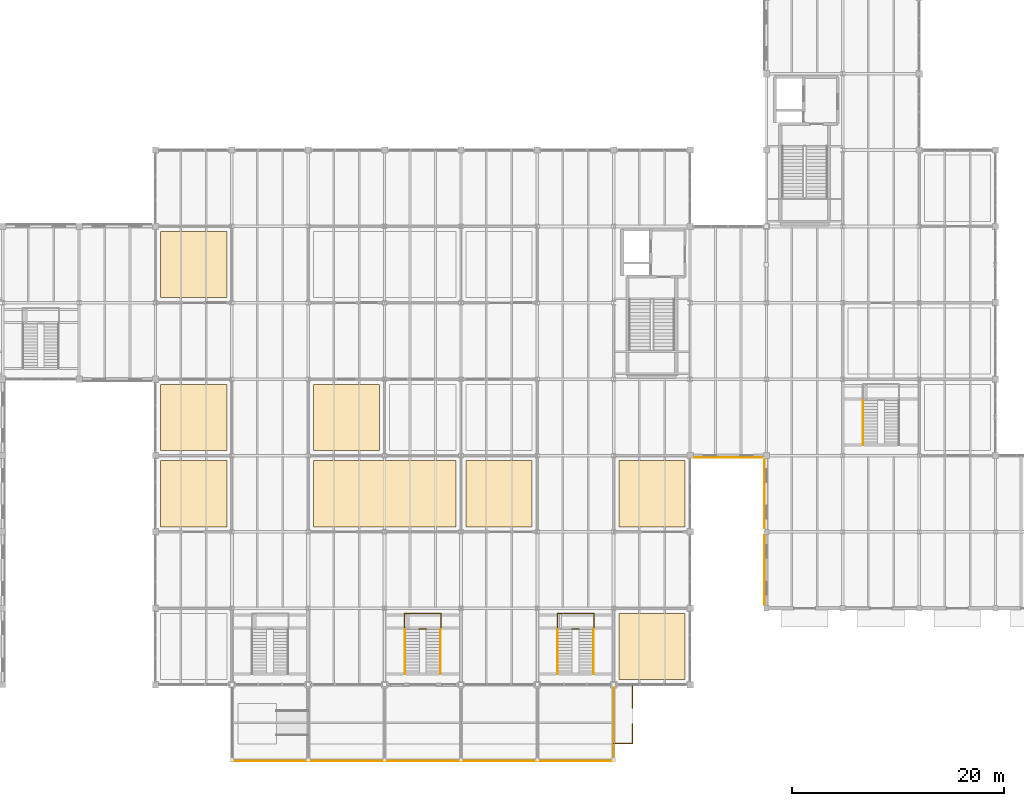
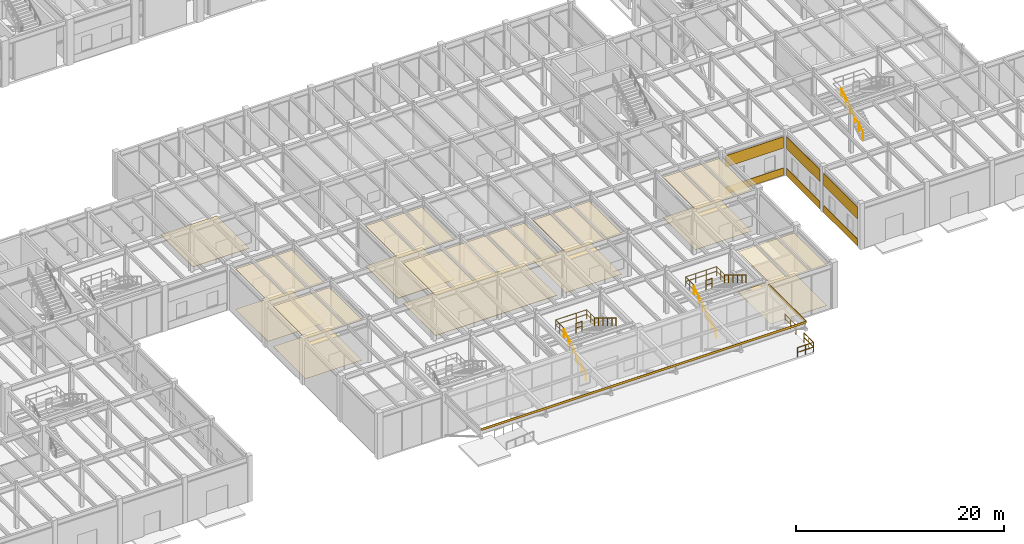
# One storey, part 89 of 97: 23 coverings, 12 railings.
"""IFC4 building model written with IfcOpenShell, lengths in metres."""

from ifc_helpers import new_model, si_unit, direction, frame, frame_2d, origin, origin_2d, place, context, subcontext, project, spatial, polyline, rectangle, circle, outline, extrude, material, layer, layer_set, type_object, element, save


model = new_model("IFC4")

# Units and contexts
model_context = context("Model", 3, precision=1e-05, world=origin(), true_north=direction((0.0, 1.0)))
body_context = subcontext(model_context, "Body", "Model", "MODEL_VIEW")
ifc_project = project(units=[si_unit("LENGTHUNIT", "METRE"), si_unit("AREAUNIT", "SQUARE_METRE"), si_unit("VOLUMEUNIT", "CUBIC_METRE"), si_unit("PLANEANGLEUNIT", "RADIAN"), si_unit("MASSUNIT", "GRAM", prefix="KILO")], contexts=[model_context])

# Site, building, storey
site_placement = place(None, origin())
site = spatial("IfcSite", under=ifc_project, at=site_placement, CompositionType="ELEMENT")
building_placement = place(site_placement, origin())
building = spatial("IfcBuilding", under=site, at=building_placement, Name="Sillqori Civic Hall", CompositionType="ELEMENT")
storey_placement = place(building_placement, origin())
storey = spatial("IfcBuildingStorey", under=building, at=storey_placement, Name="L01", CompositionType="ELEMENT", Elevation=0.0)

# Coverings
ifc_material_1 = material(Name="Perforated Metal Coffer Panel 70", Category="aluminium")
ifc_layer_1 = layer(ifc_material_1, 0.070068359375)
ifc_layer_set_1 = layer_set([ifc_layer_1], Name="Perforated Metal Coffer Panel 70")
covering_type_1 = type_object("IfcCoveringType", Name="COV-CEIL-M70", PredefinedType="CEILING", material=ifc_layer_set_1)
covering_1_placement = place(storey_placement, frame((0.0, 0.0, 4.679931640625)))
element("IfcCovering", 1, at=covering_1_placement, inside=storey, type_object=covering_type_1, Name="Municipal Cashier and Revenue Collection Hall L01-09 acoustic ceiling", PredefinedType="CEILING", context=body_context, shape_type="SweptSolid", body=[
    extrude(outline(polyline([(94.080078125, 22.080078125), (100.320068359375, 22.080078125), (100.320068359375, 28.320068359375), (94.080078125, 28.320068359375), (94.080078125, 22.080078125)])), origin(), (0.0, 0.0, 1.0), 0.070068359375),
])
ifc_material_2 = material(Name="Micro-Perforated Aluminium Plank Ceiling", Category="aluminium")
ifc_layer_2 = layer(ifc_material_2, 0.035888671875)
ifc_layer_set_2 = layer_set([ifc_layer_2], Name="Micro-Perforated Aluminium Plank Ceiling")
covering_type_2 = type_object("IfcCoveringType", Name="COV-CEIL-MET", PredefinedType="CEILING", material=ifc_layer_set_2)
covering_2_placement = place(storey_placement, frame((0.0, 0.0, 4.714111328125)))
element("IfcCovering", 2, at=covering_2_placement, inside=storey, type_object=covering_type_2, Name="Civil Registry Births and Marriages Counter acoustic ceiling", PredefinedType="CEILING", context=body_context, shape_type="SweptSolid", body=[
    extrude(outline(polyline([(65.280029296875, 29.280029296875), (71.52001953125, 29.280029296875), (71.52001953125, 35.52001953125), (65.280029296875, 35.52001953125), (65.280029296875, 29.280029296875)])), origin(), (0.0, 0.0, 1.0), 0.035888671875),
])
covering_3_placement = place(storey_placement, frame((0.0, 0.0, 4.714111328125)))
element("IfcCovering", 3, at=covering_3_placement, inside=storey, type_object=covering_type_2, Name="Community Neighbourhood Assembly Room L01-13 acoustic ceiling", PredefinedType="CEILING", context=body_context, shape_type="SweptSolid", body=[
    extrude(outline(polyline([(108.47998046875, 22.080078125), (114.719970703125, 22.080078125), (114.719970703125, 28.320068359375), (108.47998046875, 28.320068359375), (108.47998046875, 22.080078125)])), origin(), (0.0, 0.0, 1.0), 0.035888671875),
])
ifc_material_3 = material(Name="Mineral-Fibre High-NRC Tile Ceiling", Category="gypsum")
ifc_layer_3 = layer(ifc_material_3, 0.02392578125)
ifc_layer_set_3 = layer_set([ifc_layer_3], Name="Mineral-Fibre High-NRC Tile Ceiling")
covering_type_3 = type_object("IfcCoveringType", Name="COV-CEIL-MIN", PredefinedType="CEILING", material=ifc_layer_set_3)
covering_4_placement = place(storey_placement, frame((0.0, 0.0, 4.72607421875)))
element("IfcCovering", 4, at=covering_4_placement, inside=storey, type_object=covering_type_3, Name="Municipal Cashier and Revenue Collection Hall acoustic ceiling", PredefinedType="CEILING", context=body_context, shape_type="SweptSolid", body=[
    extrude(outline(polyline([(65.280029296875, 22.080078125), (71.52001953125, 22.080078125), (71.52001953125, 28.320068359375), (65.280029296875, 28.320068359375), (65.280029296875, 22.080078125)])), origin(), (0.0, 0.0, 1.0), 0.02392578125),
])
covering_5_placement = place(storey_placement, frame((0.0, 0.0, 4.72607421875)))
element("IfcCovering", 5, at=covering_5_placement, inside=storey, type_object=covering_type_3, Name="Civic Bookshop and Municipal Information Kiosk L01-12 acoustic ceiling", PredefinedType="CEILING", context=body_context, shape_type="SweptSolid", body=[
    extrude(outline(polyline([(108.47998046875, 7.679931640625), (114.719970703125, 7.679931640625), (114.719970703125, 13.919921875), (108.47998046875, 13.919921875), (108.47998046875, 7.679931640625)])), origin(), (0.0, 0.0, 1.0), 0.02392578125),
])
ifc_material_4 = material(Name="Andean Cedar Slatted Baffle 46", Category="timber")
ifc_layer_4 = layer(ifc_material_4, 0.0458984375)
ifc_layer_set_4 = layer_set([ifc_layer_4], Name="Andean Cedar Slatted Baffle 46")
covering_type_4 = type_object("IfcCoveringType", Name="COV-CEIL-T46", PredefinedType="CEILING", material=ifc_layer_set_4)
covering_6_placement = place(storey_placement, frame((0.0, 0.0, 4.7041015625)))
element("IfcCovering", 6, at=covering_6_placement, inside=storey, type_object=covering_type_4, Name="Civic Bookshop and Municipal Information Kiosk acoustic ceiling", PredefinedType="CEILING", context=body_context, shape_type="SweptSolid", body=[
    extrude(outline(polyline([(79.679931640625, 22.080078125), (93.1201171875, 22.080078125), (93.1201171875, 28.320068359375), (79.679931640625, 28.320068359375), (79.679931640625, 22.080078125)])), origin(), (0.0, 0.0, 1.0), 0.0458984375),
])
ifc_material_5 = material(Name="Andean Cedar Slatted Baffle 52", Category="timber")
ifc_layer_5 = layer(ifc_material_5, 0.052001953125)
ifc_layer_set_5 = layer_set([ifc_layer_5], Name="Andean Cedar Slatted Baffle 52")
covering_type_5 = type_object("IfcCoveringType", Name="COV-CEIL-T52", PredefinedType="CEILING", material=ifc_layer_set_5)
covering_7_placement = place(storey_placement, frame((0.0, 0.0, 4.697998046875)))
element("IfcCovering", 7, at=covering_7_placement, inside=storey, type_object=covering_type_5, Name="Community Neighbourhood Assembly Room acoustic ceiling", PredefinedType="CEILING", context=body_context, shape_type="SweptSolid", body=[
    extrude(outline(polyline([(79.679931640625, 29.280029296875), (85.919921875, 29.280029296875), (85.919921875, 35.52001953125), (79.679931640625, 35.52001953125), (79.679931640625, 29.280029296875)])), origin(), (0.0, 0.0, 1.0), 0.052001953125),
])
ifc_material_6 = material(Name="Anodized Bronze Aluminium Fascia", Category="aluminium")
ifc_layer_6 = layer(ifc_material_6, 0.034912109375)
ifc_layer_set_6 = layer_set([ifc_layer_6], Name="Anodized Bronze Aluminium Fascia")
covering_type_6 = type_object("IfcCoveringType", Name="COV-CLAD-BRNZ", PredefinedType="CLADDING", material=ifc_layer_set_6)
covering_8_placement = place(storey_placement, frame((72.0, 0.0, 4.97998046875), z_axis=(0.0, 0.0, 1.0), x_axis=(1.0, 0.0, 0.0)))
element("IfcCovering", 8, at=covering_8_placement, inside=storey, type_object=covering_type_6, Name="Entrance canopy bronze fascia S", PredefinedType="CLADDING", context=body_context, shape_type="SweptSolid", body=[
    extrude(rectangle(XDim=36.0, YDim=0.034912109375, at=frame_2d((18.0, 0.0))), origin(), (0.0, 0.0, 1.0), 0.260009765625),
])
covering_9_placement = place(storey_placement, frame((108.0, 0.0, 4.97998046875), z_axis=(0.0, 0.0, 1.0), x_axis=(0.0, 1.0, 0.0)))
element("IfcCovering", 9, at=covering_9_placement, inside=storey, type_object=covering_type_6, Name="Entrance canopy bronze fascia E", PredefinedType="CLADDING", context=body_context, shape_type="SweptSolid", body=[
    extrude(rectangle(XDim=7.199951171875, YDim=0.034912109375, at=frame_2d((3.60009765625, 0.0))), origin(), (0.0, 0.0, 1.0), 0.260009765625),
])
ifc_material_7 = material(Name="Cochabamba Honed Limestone Cladding", Category="masonry")
ifc_layer_7 = layer(ifc_material_7, 0.044921875)
ifc_layer_set_7 = layer_set([ifc_layer_7], Name="Cochabamba Honed Limestone Cladding")
covering_type_7 = type_object("IfcCoveringType", Name="COV-CLAD-LIME", PredefinedType="CLADDING", material=ifc_layer_set_7)
covering_10_placement = place(storey_placement, frame((122.02001953125, 28.6298828125, 0.0400390625), z_axis=(0.0, 0.0, 1.0), x_axis=(-1.0, 0.0, 0.0)))
element("IfcCovering", 10, at=covering_10_placement, inside=storey, type_object=covering_type_7, Name="L01 limestone spandrel cladding L01-16-04-S", PredefinedType="CLADDING", context=body_context, shape_type="SweptSolid", body=[
    extrude(rectangle(XDim=6.43994140625, YDim=0.044921875, at=frame_2d((3.219970703125, 0.0))), origin(), (0.0, 0.0, 1.0), 0.85986328125),
])
covering_11_placement = place(storey_placement, frame((122.02001953125, 28.6298828125, 3.219970703125), z_axis=(0.0, 0.0, 1.0), x_axis=(-1.0, 0.0, 0.0)))
element("IfcCovering", 11, at=covering_11_placement, inside=storey, type_object=covering_type_7, Name="L01 limestone frieze cladding L01-16-04-S", PredefinedType="CLADDING", context=body_context, shape_type="SweptSolid", body=[
    extrude(rectangle(XDim=6.43994140625, YDim=0.044921875, at=frame_2d((3.219970703125, 0.0))), origin(), (0.0, 0.0, 1.0), 1.338134765625),
])
covering_12_placement = place(storey_placement, frame((122.22998046875, 14.72998046875, 0.0400390625), z_axis=(0.0, 0.0, 1.0), x_axis=(0.0, 1.0, 0.0)))
element("IfcCovering", 12, at=covering_12_placement, inside=storey, type_object=covering_type_7, Name="L01 limestone spandrel cladding L01-17-02-W", PredefinedType="CLADDING", context=body_context, shape_type="SweptSolid", body=[
    extrude(rectangle(XDim=6.5400390625, YDim=0.044921875, at=frame_2d((3.27001953125, 0.0))), origin(), (0.0, 0.0, 1.0), 0.85986328125),
])
covering_13_placement = place(storey_placement, frame((122.22998046875, 14.72998046875, 3.219970703125), z_axis=(0.0, 0.0, 1.0), x_axis=(0.0, 1.0, 0.0)))
element("IfcCovering", 13, at=covering_13_placement, inside=storey, type_object=covering_type_7, Name="L01 limestone frieze cladding L01-17-02-W", PredefinedType="CLADDING", context=body_context, shape_type="SweptSolid", body=[
    extrude(rectangle(XDim=6.5400390625, YDim=0.044921875, at=frame_2d((3.27001953125, 0.0))), origin(), (0.0, 0.0, 1.0), 1.406982421875),
])
covering_14_placement = place(storey_placement, frame((122.22998046875, 21.929931640625, 0.0400390625), z_axis=(0.0, 0.0, 1.0), x_axis=(0.0, 1.0, 0.0)))
element("IfcCovering", 14, at=covering_14_placement, inside=storey, type_object=covering_type_7, Name="L01 limestone spandrel cladding L01-17-03-W", PredefinedType="CLADDING", context=body_context, shape_type="SweptSolid", body=[
    extrude(rectangle(XDim=6.489990234375, YDim=0.044921875, at=frame_2d((3.2451171875, 0.0))), origin(), (0.0, 0.0, 1.0), 0.85986328125),
])
covering_15_placement = place(storey_placement, frame((122.22998046875, 21.929931640625, 3.219970703125), z_axis=(0.0, 0.0, 1.0), x_axis=(0.0, 1.0, 0.0)))
element("IfcCovering", 15, at=covering_15_placement, inside=storey, type_object=covering_type_7, Name="L01 limestone frieze cladding L01-17-03-W", PredefinedType="CLADDING", context=body_context, shape_type="SweptSolid", body=[
    extrude(rectangle(XDim=6.489990234375, YDim=0.044921875, at=frame_2d((3.2451171875, 0.0))), origin(), (0.0, 0.0, 1.0), 1.406982421875),
])
ifc_material_8 = material(Name="Dust-Sealed Heavy-Duty Archive Epoxy", Category="resin")
ifc_layer_8 = layer(ifc_material_8, 0.014892578125)
ifc_layer_set_8 = layer_set([ifc_layer_8], Name="Dust-Sealed Heavy-Duty Archive Epoxy")
covering_type_8 = type_object("IfcCoveringType", Name="COV-FLR-EPX", PredefinedType="FLOORING", material=ifc_layer_set_8)
covering_16_placement = place(storey_placement, origin())
element("IfcCovering", 16, at=covering_16_placement, inside=storey, type_object=covering_type_8, Name="Civil Registry Births and Marriages Counter floor finish", PredefinedType="FLOORING", context=body_context, shape_type="SweptSolid", body=[
    extrude(outline(polyline([(65.280029296875, 29.280029296875), (71.52001953125, 29.280029296875), (71.52001953125, 35.52001953125), (65.280029296875, 35.52001953125), (65.280029296875, 29.280029296875)])), origin(), (0.0, 0.0, 1.0), 0.014892578125),
])
covering_17_placement = place(storey_placement, origin())
element("IfcCovering", 17, at=covering_17_placement, inside=storey, type_object=covering_type_8, Name="Community Neighbourhood Assembly Room L01-13 floor finish", PredefinedType="FLOORING", context=body_context, shape_type="SweptSolid", body=[
    extrude(outline(polyline([(108.47998046875, 22.080078125), (114.719970703125, 22.080078125), (114.719970703125, 28.320068359375), (108.47998046875, 28.320068359375), (108.47998046875, 22.080078125)])), origin(), (0.0, 0.0, 1.0), 0.014892578125),
])
ifc_material_9 = material(Name="Vitrified Porcelain Tile 18", Category="ceramic")
ifc_layer_9 = layer(ifc_material_9, 0.01806640625)
ifc_layer_set_9 = layer_set([ifc_layer_9], Name="Vitrified Porcelain Tile 18")
covering_type_9 = type_object("IfcCoveringType", Name="COV-FLR-P18", PredefinedType="FLOORING", material=ifc_layer_set_9)
covering_18_placement = place(storey_placement, origin())
element("IfcCovering", 18, at=covering_18_placement, inside=storey, type_object=covering_type_9, Name="Municipal Cashier and Revenue Collection Hall L01-09 floor finish", PredefinedType="FLOORING", context=body_context, shape_type="SweptSolid", body=[
    extrude(outline(polyline([(94.080078125, 22.080078125), (100.320068359375, 22.080078125), (100.320068359375, 28.320068359375), (94.080078125, 28.320068359375), (94.080078125, 22.080078125)])), origin(), (0.0, 0.0, 1.0), 0.01806640625),
])
ifc_material_10 = material(Name="Slip-Resistant R11 Porcelain Tile", Category="ceramic")
ifc_layer_10 = layer(ifc_material_10, 0.02001953125)
ifc_layer_set_10 = layer_set([ifc_layer_10], Name="Slip-Resistant R11 Porcelain Tile")
covering_type_10 = type_object("IfcCoveringType", Name="COV-FLR-POR", PredefinedType="FLOORING", material=ifc_layer_set_10)
covering_19_placement = place(storey_placement, origin())
element("IfcCovering", 19, at=covering_19_placement, inside=storey, type_object=covering_type_10, Name="Municipal Cashier and Revenue Collection Hall floor finish", PredefinedType="FLOORING", context=body_context, shape_type="SweptSolid", body=[
    extrude(outline(polyline([(65.280029296875, 22.080078125), (71.52001953125, 22.080078125), (71.52001953125, 28.320068359375), (65.280029296875, 28.320068359375), (65.280029296875, 22.080078125)])), origin(), (0.0, 0.0, 1.0), 0.02001953125),
])
covering_20_placement = place(storey_placement, origin())
element("IfcCovering", 20, at=covering_20_placement, inside=storey, type_object=covering_type_10, Name="Civic Bookshop and Municipal Information Kiosk L01-12 floor finish", PredefinedType="FLOORING", context=body_context, shape_type="SweptSolid", body=[
    extrude(outline(polyline([(108.47998046875, 7.679931640625), (114.719970703125, 7.679931640625), (114.719970703125, 13.919921875), (108.47998046875, 13.919921875), (108.47998046875, 7.679931640625)])), origin(), (0.0, 0.0, 1.0), 0.02001953125),
])
ifc_material_11 = material(Name="Honed Comanche Sandstone Paving 38", Category="masonry")
ifc_layer_11 = layer(ifc_material_11, 0.0380859375)
ifc_layer_set_11 = layer_set([ifc_layer_11], Name="Honed Comanche Sandstone Paving 38")
covering_type_11 = type_object("IfcCoveringType", Name="COV-FLR-S38", PredefinedType="FLOORING", material=ifc_layer_set_11)
covering_21_placement = place(storey_placement, origin())
element("IfcCovering", 21, at=covering_21_placement, inside=storey, type_object=covering_type_11, Name="Public Cafe and Andean Civic Salon floor finish", PredefinedType="FLOORING", context=body_context, shape_type="SweptSolid", body=[
    extrude(outline(polyline([(65.280029296875, 43.679931640625), (71.52001953125, 43.679931640625), (71.52001953125, 49.919921875), (65.280029296875, 49.919921875), (65.280029296875, 43.679931640625)])), origin(), (0.0, 0.0, 1.0), 0.0380859375),
])
ifc_material_12 = material(Name="Thick Ceremonial Limestone Flagstone 50", Category="masonry")
ifc_layer_12 = layer(ifc_material_12, 0.050048828125)
ifc_layer_set_12 = layer_set([ifc_layer_12], Name="Thick Ceremonial Limestone Flagstone 50")
covering_type_12 = type_object("IfcCoveringType", Name="COV-FLR-S50", PredefinedType="FLOORING", material=ifc_layer_set_12)
covering_22_placement = place(storey_placement, origin())
element("IfcCovering", 22, at=covering_22_placement, inside=storey, type_object=covering_type_12, Name="Civic Bookshop and Municipal Information Kiosk floor finish", PredefinedType="FLOORING", context=body_context, shape_type="SweptSolid", body=[
    extrude(outline(polyline([(79.679931640625, 22.080078125), (93.1201171875, 22.080078125), (93.1201171875, 28.320068359375), (79.679931640625, 28.320068359375), (79.679931640625, 22.080078125)])), origin(), (0.0, 0.0, 1.0), 0.050048828125),
])
ifc_material_13 = material(Name="Heavy Hall Basalt Terrazzo 56", Category="masonry")
ifc_layer_13 = layer(ifc_material_13, 0.055908203125)
ifc_layer_set_13 = layer_set([ifc_layer_13], Name="Heavy Hall Basalt Terrazzo 56")
covering_type_13 = type_object("IfcCoveringType", Name="COV-FLR-S56", PredefinedType="FLOORING", material=ifc_layer_set_13)
covering_23_placement = place(storey_placement, origin())
element("IfcCovering", 23, at=covering_23_placement, inside=storey, type_object=covering_type_13, Name="Community Neighbourhood Assembly Room floor finish", PredefinedType="FLOORING", context=body_context, shape_type="SweptSolid", body=[
    extrude(outline(polyline([(79.679931640625, 29.280029296875), (85.919921875, 29.280029296875), (85.919921875, 35.52001953125), (79.679931640625, 35.52001953125), (79.679931640625, 29.280029296875)])), origin(), (0.0, 0.0, 1.0), 0.055908203125),
])

# Railings
ifc_material_14 = material(Name="Brushed Stainless Steel 316 Handrail", Category="steel")
ifc_layer_14 = layer(ifc_material_14, 0.044921875)
ifc_layer_set_14 = layer_set([ifc_layer_14], Name="Brushed Stainless Steel 316 Handrail")
railing_type_1 = type_object("IfcRailingType", Name="RLG-CORE-092", PredefinedType="HANDRAIL", material=ifc_layer_set_14)
railing_1_placement = place(storey_placement, frame((102.719970703125, 8.199951171875, 0.168701171875)))
element("IfcRailing", 24, at=railing_1_placement, inside=storey, type_object=railing_type_1, Name="Wedge Hall South-East Grand Stair L01-L02 handrail W", PredefinedType="HANDRAIL", context=body_context, shape_type="SweptSolid", body=[
    extrude(circle(Radius=0.02392578125, at=origin_2d()), frame((0.0, 0.0, 0.89599609375), z_axis=(0.0, 0.856476492594, 0.516186030065), x_axis=(-1.0, 0.0, 0.0)), (0.0, 0.0, 1.0), 4.90380859375),
    extrude(circle(Radius=0.02099609375, at=origin_2d()), origin(), (0.0, 0.0, 1.0), 0.871826171875),
    extrude(circle(Radius=0.02099609375, at=origin_2d()), frame((0.0, 0.840087890625, 0.50634765625)), (0.0, 0.0, 1.0), 0.871826171875),
    extrude(circle(Radius=0.02099609375, at=origin_2d()), frame((0.0, 1.679931640625, 1.012451171875)), (0.0, 0.0, 1.0), 0.871826171875),
    extrude(circle(Radius=0.02099609375, at=origin_2d()), frame((0.0, 2.52001953125, 1.518798828125)), (0.0, 0.0, 1.0), 0.871826171875),
    extrude(circle(Radius=0.02099609375, at=origin_2d()), frame((0.0, 3.35986328125, 2.02490234375)), (0.0, 0.0, 1.0), 0.871826171875),
    extrude(circle(Radius=0.02099609375, at=origin_2d()), frame((0.0, 4.199951171875, 2.53125)), (0.0, 0.0, 1.0), 0.871826171875),
])
railing_2_placement = place(storey_placement, frame((106.080078125, 12.39990234375, 2.868896484375)))
element("IfcRailing", 25, at=railing_2_placement, inside=storey, type_object=railing_type_1, Name="Wedge Hall South-East Grand Stair L01-L02 handrail E", PredefinedType="HANDRAIL", context=body_context, shape_type="SweptSolid", body=[
    extrude(circle(Radius=0.02392578125, at=origin_2d()), frame((0.0, 0.0, 0.89599609375), z_axis=(0.0, -0.856498503035, 0.5161495077), x_axis=(1.0, 0.0, 0.0)), (0.0, 0.0, 1.0), 4.903564453125),
    extrude(circle(Radius=0.02099609375, at=origin_2d()), origin(), (0.0, 0.0, 1.0), 0.871826171875),
    extrude(circle(Radius=0.02099609375, at=origin_2d()), frame((0.0, -0.840087890625, 0.506103515625)), (0.0, 0.0, 1.0), 0.871826171875),
    extrude(circle(Radius=0.02099609375, at=origin_2d()), frame((0.0, -1.679931640625, 1.012451171875)), (0.0, 0.0, 1.0), 0.871826171875),
    extrude(circle(Radius=0.02099609375, at=origin_2d()), frame((0.0, -2.52001953125, 1.5185546875)), (0.0, 0.0, 1.0), 0.871826171875),
    extrude(circle(Radius=0.02099609375, at=origin_2d()), frame((0.0, -3.35986328125, 2.02490234375)), (0.0, 0.0, 1.0), 0.871826171875),
    extrude(circle(Radius=0.02099609375, at=origin_2d()), frame((0.0, -4.199951171875, 2.531005859375)), (0.0, 0.0, 1.0), 0.871826171875),
])
railing_3_placement = place(storey_placement, frame((88.320068359375, 8.199951171875, 0.168701171875)))
element("IfcRailing", 26, at=railing_3_placement, inside=storey, type_object=railing_type_1, Name="Citizens Service Central Stair L01-L02 handrail W", PredefinedType="HANDRAIL", context=body_context, shape_type="SweptSolid", body=[
    extrude(circle(Radius=0.02392578125, at=origin_2d()), frame((0.0, 0.0, 0.89599609375), z_axis=(0.0, 0.856476492594, 0.516186030065), x_axis=(-1.0, 0.0, 0.0)), (0.0, 0.0, 1.0), 4.90380859375),
    extrude(circle(Radius=0.02099609375, at=origin_2d()), origin(), (0.0, 0.0, 1.0), 0.871826171875),
    extrude(circle(Radius=0.02099609375, at=origin_2d()), frame((0.0, 0.840087890625, 0.50634765625)), (0.0, 0.0, 1.0), 0.871826171875),
    extrude(circle(Radius=0.02099609375, at=origin_2d()), frame((0.0, 1.679931640625, 1.012451171875)), (0.0, 0.0, 1.0), 0.871826171875),
    extrude(circle(Radius=0.02099609375, at=origin_2d()), frame((0.0, 2.52001953125, 1.518798828125)), (0.0, 0.0, 1.0), 0.871826171875),
    extrude(circle(Radius=0.02099609375, at=origin_2d()), frame((0.0, 3.35986328125, 2.02490234375)), (0.0, 0.0, 1.0), 0.871826171875),
    extrude(circle(Radius=0.02099609375, at=origin_2d()), frame((0.0, 4.199951171875, 2.53125)), (0.0, 0.0, 1.0), 0.871826171875),
])
railing_4_placement = place(storey_placement, frame((91.679931640625, 12.39990234375, 2.868896484375)))
element("IfcRailing", 27, at=railing_4_placement, inside=storey, type_object=railing_type_1, Name="Citizens Service Central Stair L01-L02 handrail E", PredefinedType="HANDRAIL", context=body_context, shape_type="SweptSolid", body=[
    extrude(circle(Radius=0.02392578125, at=origin_2d()), frame((0.0, 0.0, 0.89599609375), z_axis=(0.0, -0.856498503035, 0.5161495077), x_axis=(1.0, 0.0, 0.0)), (0.0, 0.0, 1.0), 4.903564453125),
    extrude(circle(Radius=0.02099609375, at=origin_2d()), origin(), (0.0, 0.0, 1.0), 0.871826171875),
    extrude(circle(Radius=0.02099609375, at=origin_2d()), frame((0.0, -0.840087890625, 0.506103515625)), (0.0, 0.0, 1.0), 0.871826171875),
    extrude(circle(Radius=0.02099609375, at=origin_2d()), frame((0.0, -1.679931640625, 1.012451171875)), (0.0, 0.0, 1.0), 0.871826171875),
    extrude(circle(Radius=0.02099609375, at=origin_2d()), frame((0.0, -2.52001953125, 1.5185546875)), (0.0, 0.0, 1.0), 0.871826171875),
    extrude(circle(Radius=0.02099609375, at=origin_2d()), frame((0.0, -3.35986328125, 2.02490234375)), (0.0, 0.0, 1.0), 0.871826171875),
    extrude(circle(Radius=0.02099609375, at=origin_2d()), frame((0.0, -4.199951171875, 2.531005859375)), (0.0, 0.0, 1.0), 0.871826171875),
])
railing_5_placement = place(storey_placement, frame((131.52001953125, 29.800048828125, 0.168701171875)))
element("IfcRailing", 28, at=railing_5_placement, inside=storey, type_object=railing_type_1, Name="Members Library Reading Stair L01-L02 handrail W", PredefinedType="HANDRAIL", context=body_context, shape_type="SweptSolid", body=[
    extrude(circle(Radius=0.02392578125, at=origin_2d()), frame((0.0, 0.0, 0.89599609375), z_axis=(0.0, 0.856476492594, 0.516186030065), x_axis=(-1.0, 0.0, 0.0)), (0.0, 0.0, 1.0), 4.90380859375),
    extrude(circle(Radius=0.02099609375, at=origin_2d()), origin(), (0.0, 0.0, 1.0), 0.871826171875),
    extrude(circle(Radius=0.02099609375, at=origin_2d()), frame((0.0, 0.840087890625, 0.50634765625)), (0.0, 0.0, 1.0), 0.871826171875),
    extrude(circle(Radius=0.02099609375, at=origin_2d()), frame((0.0, 1.679931640625, 1.012451171875)), (0.0, 0.0, 1.0), 0.871826171875),
    extrude(circle(Radius=0.02099609375, at=origin_2d()), frame((0.0, 2.52001953125, 1.518798828125)), (0.0, 0.0, 1.0), 0.871826171875),
    extrude(circle(Radius=0.02099609375, at=origin_2d()), frame((0.0, 3.35986328125, 2.02490234375)), (0.0, 0.0, 1.0), 0.871826171875),
    extrude(circle(Radius=0.02099609375, at=origin_2d()), frame((0.0, 4.199951171875, 2.53125)), (0.0, 0.0, 1.0), 0.871826171875),
])
ifc_material_15 = material(Name="Stainless Steel 316 and Laminated Balustrade", Category="steel")
ifc_layer_15 = layer(ifc_material_15, 0.06005859375)
ifc_layer_set_15 = layer_set([ifc_layer_15], Name="Stainless Steel 316 and Laminated Balustrade")
railing_type_2 = type_object("IfcRailingType", Name="RLG-TERR-112", PredefinedType="GUARDRAIL", material=ifc_layer_set_15)
railing_6_placement = place(storey_placement, frame((102.679931640625, 12.39990234375, 2.699951171875)))
element("IfcRailing", 29, at=railing_6_placement, inside=storey, type_object=railing_type_2, Name="Wedge Hall South-East Grand Stair L01-L02 half-landing guard", PredefinedType="GUARDRAIL", context=body_context, shape_type="SweptSolid", body=[
    extrude(circle(Radius=0.02392578125, at=origin_2d()), frame((0.0, 0.0, 1.09619140625), z_axis=(0.0, 1.0, 0.0), x_axis=(-1.0, 0.0, 0.0)), (0.0, 0.0, 1.0), 1.530029296875),
    extrude(circle(Radius=0.02392578125, at=origin_2d()), frame((0.0, 0.0, 0.56005859375), z_axis=(0.0, 1.0, 0.0), x_axis=(-1.0, 0.0, 0.0)), (0.0, 0.0, 1.0), 1.530029296875),
    extrude(circle(Radius=0.02392578125, at=origin_2d()), frame((0.0, 1.530029296875, 1.09619140625), z_axis=(1.0, 0.0, 0.0), x_axis=(0.0, 1.0, 0.0)), (0.0, 0.0, 1.0), 3.440185546875),
    extrude(circle(Radius=0.02392578125, at=origin_2d()), frame((0.0, 1.530029296875, 0.56005859375), z_axis=(1.0, 0.0, 0.0), x_axis=(0.0, 1.0, 0.0)), (0.0, 0.0, 1.0), 3.440185546875),
    extrude(circle(Radius=0.02392578125, at=origin_2d()), frame((3.440185546875, 1.530029296875, 1.09619140625), z_axis=(0.0, -1.0, 0.0), x_axis=(1.0, 0.0, 0.0)), (0.0, 0.0, 1.0), 1.530029296875),
    extrude(circle(Radius=0.02392578125, at=origin_2d()), frame((3.440185546875, 1.530029296875, 0.56005859375), z_axis=(0.0, -1.0, 0.0), x_axis=(1.0, 0.0, 0.0)), (0.0, 0.0, 1.0), 1.530029296875),
    extrude(circle(Radius=0.02099609375, at=origin_2d()), origin(), (0.0, 0.0, 1.0), 1.072021484375),
    extrude(circle(Radius=0.02099609375, at=origin_2d()), frame((0.0, 0.76513671875, 0.0)), (0.0, 0.0, 1.0), 1.072021484375),
    extrude(circle(Radius=0.02099609375, at=origin_2d()), frame((0.0, 1.530029296875, 0.0)), (0.0, 0.0, 1.0), 1.072021484375),
    extrude(circle(Radius=0.02099609375, at=origin_2d()), frame((1.146728515625, 1.530029296875, 0.0)), (0.0, 0.0, 1.0), 1.072021484375),
    extrude(circle(Radius=0.02099609375, at=origin_2d()), frame((2.29345703125, 1.530029296875, 0.0)), (0.0, 0.0, 1.0), 1.072021484375),
    extrude(circle(Radius=0.02099609375, at=origin_2d()), frame((3.440185546875, 1.530029296875, 0.0)), (0.0, 0.0, 1.0), 1.072021484375),
    extrude(circle(Radius=0.02099609375, at=origin_2d()), frame((3.440185546875, 0.76513671875, 0.0)), (0.0, 0.0, 1.0), 1.072021484375),
    extrude(circle(Radius=0.02099609375, at=origin_2d()), frame((3.440185546875, 0.0, 0.0)), (0.0, 0.0, 1.0), 1.072021484375),
])
railing_7_placement = place(storey_placement, frame((104.06005859375, 12.43994140625, 2.699951171875)))
element("IfcRailing", 30, at=railing_7_placement, inside=storey, type_object=railing_type_2, Name="Wedge Hall South-East Grand Stair L01-L02 half-landing inner well guard", PredefinedType="GUARDRAIL", context=body_context, shape_type="SweptSolid", body=[
    extrude(circle(Radius=0.02392578125, at=origin_2d()), frame((0.0, 0.0, 1.09619140625), z_axis=(1.0, 0.0, 0.0), x_axis=(0.0, 1.0, 0.0)), (0.0, 0.0, 1.0), 0.679931640625),
    extrude(circle(Radius=0.02392578125, at=origin_2d()), frame((0.0, 0.0, 0.56005859375), z_axis=(1.0, 0.0, 0.0), x_axis=(0.0, 1.0, 0.0)), (0.0, 0.0, 1.0), 0.679931640625),
    extrude(circle(Radius=0.02099609375, at=origin_2d()), origin(), (0.0, 0.0, 1.0), 1.072021484375),
    extrude(circle(Radius=0.02099609375, at=origin_2d()), frame((0.679931640625, 0.0, 0.0)), (0.0, 0.0, 1.0), 1.072021484375),
])
railing_8_placement = place(storey_placement, frame((88.280029296875, 12.39990234375, 2.699951171875)))
element("IfcRailing", 31, at=railing_8_placement, inside=storey, type_object=railing_type_2, Name="Citizens Service Central Stair L01-L02 half-landing guard", PredefinedType="GUARDRAIL", context=body_context, shape_type="SweptSolid", body=[
    extrude(circle(Radius=0.02392578125, at=origin_2d()), frame((0.0, 0.0, 1.09619140625), z_axis=(0.0, 1.0, 0.0), x_axis=(-1.0, 0.0, 0.0)), (0.0, 0.0, 1.0), 1.530029296875),
    extrude(circle(Radius=0.02392578125, at=origin_2d()), frame((0.0, 0.0, 0.56005859375), z_axis=(0.0, 1.0, 0.0), x_axis=(-1.0, 0.0, 0.0)), (0.0, 0.0, 1.0), 1.530029296875),
    extrude(circle(Radius=0.02392578125, at=origin_2d()), frame((0.0, 1.530029296875, 1.09619140625), z_axis=(1.0, 0.0, 0.0), x_axis=(0.0, 1.0, 0.0)), (0.0, 0.0, 1.0), 3.43994140625),
    extrude(circle(Radius=0.02392578125, at=origin_2d()), frame((0.0, 1.530029296875, 0.56005859375), z_axis=(1.0, 0.0, 0.0), x_axis=(0.0, 1.0, 0.0)), (0.0, 0.0, 1.0), 3.43994140625),
    extrude(circle(Radius=0.02392578125, at=origin_2d()), frame((3.43994140625, 1.530029296875, 1.09619140625), z_axis=(0.0, -1.0, 0.0), x_axis=(1.0, 0.0, 0.0)), (0.0, 0.0, 1.0), 1.530029296875),
    extrude(circle(Radius=0.02392578125, at=origin_2d()), frame((3.43994140625, 1.530029296875, 0.56005859375), z_axis=(0.0, -1.0, 0.0), x_axis=(1.0, 0.0, 0.0)), (0.0, 0.0, 1.0), 1.530029296875),
    extrude(circle(Radius=0.02099609375, at=origin_2d()), origin(), (0.0, 0.0, 1.0), 1.072021484375),
    extrude(circle(Radius=0.02099609375, at=origin_2d()), frame((0.0, 0.76513671875, 0.0)), (0.0, 0.0, 1.0), 1.072021484375),
    extrude(circle(Radius=0.02099609375, at=origin_2d()), frame((0.0, 1.530029296875, 0.0)), (0.0, 0.0, 1.0), 1.072021484375),
    extrude(circle(Radius=0.02099609375, at=origin_2d()), frame((1.146728515625, 1.530029296875, 0.0)), (0.0, 0.0, 1.0), 1.072021484375),
    extrude(circle(Radius=0.02099609375, at=origin_2d()), frame((2.293212890625, 1.530029296875, 0.0)), (0.0, 0.0, 1.0), 1.072021484375),
    extrude(circle(Radius=0.02099609375, at=origin_2d()), frame((3.43994140625, 1.530029296875, 0.0)), (0.0, 0.0, 1.0), 1.072021484375),
    extrude(circle(Radius=0.02099609375, at=origin_2d()), frame((3.43994140625, 0.76513671875, 0.0)), (0.0, 0.0, 1.0), 1.072021484375),
    extrude(circle(Radius=0.02099609375, at=origin_2d()), frame((3.43994140625, 0.0, 0.0)), (0.0, 0.0, 1.0), 1.072021484375),
])
railing_9_placement = place(storey_placement, frame((89.659912109375, 12.43994140625, 2.699951171875)))
element("IfcRailing", 32, at=railing_9_placement, inside=storey, type_object=railing_type_2, Name="Citizens Service Central Stair L01-L02 half-landing inner well guard", PredefinedType="GUARDRAIL", context=body_context, shape_type="SweptSolid", body=[
    extrude(circle(Radius=0.02392578125, at=origin_2d()), frame((0.0, 0.0, 1.09619140625), z_axis=(1.0, 0.0, 0.0), x_axis=(0.0, 1.0, 0.0)), (0.0, 0.0, 1.0), 0.68017578125),
    extrude(circle(Radius=0.02392578125, at=origin_2d()), frame((0.0, 0.0, 0.56005859375), z_axis=(1.0, 0.0, 0.0), x_axis=(0.0, 1.0, 0.0)), (0.0, 0.0, 1.0), 0.68017578125),
    extrude(circle(Radius=0.02099609375, at=origin_2d()), origin(), (0.0, 0.0, 1.0), 1.072021484375),
    extrude(circle(Radius=0.02099609375, at=origin_2d()), frame((0.68017578125, 0.0, 0.0)), (0.0, 0.0, 1.0), 1.072021484375),
])
railing_10_placement = place(storey_placement, frame((108.0, 1.64990234375, 0.0)))
element("IfcRailing", 33, at=railing_10_placement, inside=storey, type_object=railing_type_2, Name="Forecourt ceremonial stair guard 08", PredefinedType="GUARDRAIL", context=body_context, shape_type="SweptSolid", body=[
    extrude(circle(Radius=0.02392578125, at=origin_2d()), frame((0.0, 0.0, 1.09619140625), z_axis=(1.0, 0.0, 0.0), x_axis=(0.0, 1.0, 0.0)), (0.0, 0.0, 1.0), 1.760009765625),
    extrude(circle(Radius=0.02392578125, at=origin_2d()), frame((0.0, 0.0, 0.56005859375), z_axis=(1.0, 0.0, 0.0), x_axis=(0.0, 1.0, 0.0)), (0.0, 0.0, 1.0), 1.760009765625),
    extrude(circle(Radius=0.02099609375, at=origin_2d()), origin(), (0.0, 0.0, 1.0), 1.072021484375),
    extrude(circle(Radius=0.02099609375, at=origin_2d()), frame((0.8798828125, 0.0, 0.0)), (0.0, 0.0, 1.0), 1.072021484375),
    extrude(circle(Radius=0.02099609375, at=origin_2d()), frame((1.760009765625, 0.0, 0.0)), (0.0, 0.0, 1.0), 1.072021484375),
])
railing_11_placement = place(storey_placement, frame((109.760009765625, 1.64990234375, 0.0)))
element("IfcRailing", 34, at=railing_11_placement, inside=storey, type_object=railing_type_2, Name="Forecourt ceremonial stair guard 09", PredefinedType="GUARDRAIL", context=body_context, shape_type="SweptSolid", body=[
    extrude(circle(Radius=0.02392578125, at=origin_2d()), frame((0.0, 0.0, 1.09619140625), z_axis=(0.0, 1.0, 0.0), x_axis=(-1.0, 0.0, 0.0)), (0.0, 0.0, 1.0), 1.830078125),
    extrude(circle(Radius=0.02392578125, at=origin_2d()), frame((0.0, 0.0, 0.56005859375), z_axis=(0.0, 1.0, 0.0), x_axis=(-1.0, 0.0, 0.0)), (0.0, 0.0, 1.0), 1.830078125),
    extrude(circle(Radius=0.02099609375, at=origin_2d()), origin(), (0.0, 0.0, 1.0), 1.072021484375),
    extrude(circle(Radius=0.02099609375, at=origin_2d()), frame((0.0, 0.9150390625, 0.0)), (0.0, 0.0, 1.0), 1.072021484375),
    extrude(circle(Radius=0.02099609375, at=origin_2d()), frame((0.0, 1.830078125, 0.0)), (0.0, 0.0, 1.0), 1.072021484375),
])
railing_12_placement = place(storey_placement, frame((109.760009765625, 4.97998046875, 0.0)))
element("IfcRailing", 35, at=railing_12_placement, inside=storey, type_object=railing_type_2, Name="Forecourt ceremonial stair guard 10", PredefinedType="GUARDRAIL", context=body_context, shape_type="SweptSolid", body=[
    extrude(circle(Radius=0.02392578125, at=origin_2d()), frame((0.0, 0.0, 1.09619140625), z_axis=(0.0, 1.0, 0.0), x_axis=(-1.0, 0.0, 0.0)), (0.0, 0.0, 1.0), 2.169921875),
    extrude(circle(Radius=0.02392578125, at=origin_2d()), frame((0.0, 0.0, 0.56005859375), z_axis=(0.0, 1.0, 0.0), x_axis=(-1.0, 0.0, 0.0)), (0.0, 0.0, 1.0), 2.169921875),
    extrude(circle(Radius=0.02099609375, at=origin_2d()), origin(), (0.0, 0.0, 1.0), 1.072021484375),
    extrude(circle(Radius=0.02099609375, at=origin_2d()), frame((0.0, 1.0849609375, 0.0)), (0.0, 0.0, 1.0), 1.072021484375),
    extrude(circle(Radius=0.02099609375, at=origin_2d()), frame((0.0, 2.169921875, 0.0)), (0.0, 0.0, 1.0), 1.072021484375),
])

save(model, "model.ifc")
